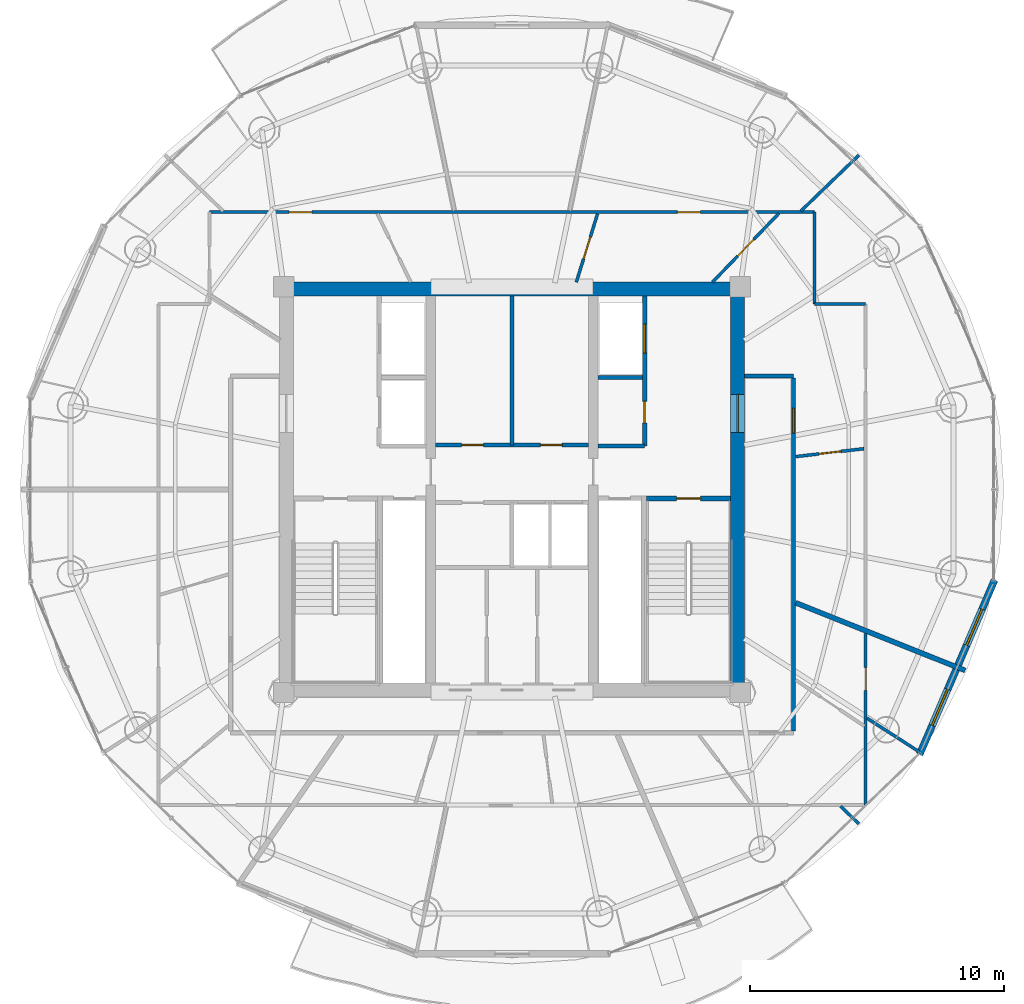
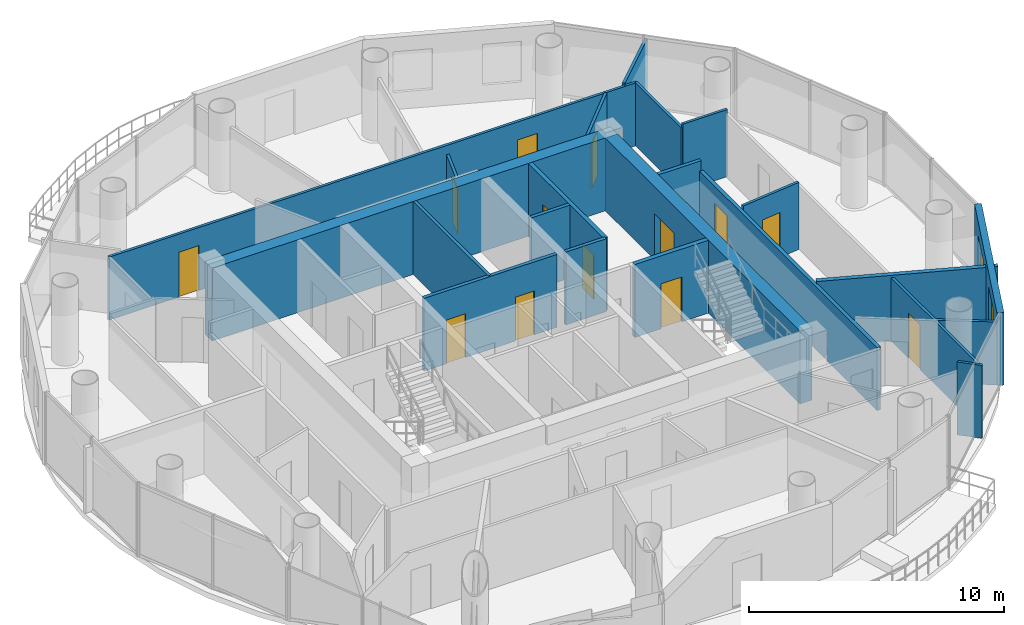
# One storey, part 20 of 24: 22 walls, 13 doors, 2 windows, 15 openings.
"""IFC4 building model written with IfcOpenShell, lengths in metres."""

from ifc_helpers import new_model, si_unit, direction, frame, frame_2d, origin, place, context, subcontext, project, spatial, rectangle, extrude, source, transform, mapped, material, layer, layer_set, type_object, element, fill, save


model = new_model("IFC4")

# Units and contexts
model_context = context("Model", 3, precision=1e-05, world=origin(), true_north=direction((-0.2419218956, 0.970295726276)))
body_context = subcontext(model_context, "Body", "Model", "MODEL_VIEW")
ifc_project = project(units=[si_unit("LENGTHUNIT", "METRE"), si_unit("AREAUNIT", "SQUARE_METRE"), si_unit("VOLUMEUNIT", "CUBIC_METRE"), si_unit("PLANEANGLEUNIT", "RADIAN"), si_unit("MASSUNIT", "GRAM", prefix="KILO")], contexts=[model_context])

# Site, building, storey
site_placement = place(None, origin())
site = spatial("IfcSite", under=ifc_project, at=site_placement, CompositionType="ELEMENT")
building_placement = place(site_placement, origin())
building = spatial("IfcBuilding", under=site, at=building_placement, Name="Cobrevalo Terracotta Tower", CompositionType="ELEMENT")
storey_placement = place(building_placement, frame((0.0, 0.0, 278.199951171875)))
storey = spatial("IfcBuildingStorey", under=building, at=storey_placement, Name="L73", CompositionType="ELEMENT", Elevation=278.199951171875)

# Wall
ifc_material_1 = material(Name="Concrete C50", Category="concrete")
ifc_layer_1 = layer(ifc_material_1, 0.550048828125)
ifc_layer_set_1 = layer_set([ifc_layer_1], Name="Concrete C50")
wall_type_1 = type_object("IfcWallType", Name="Core shear wall 550 mm Concrete C50", PredefinedType="SHEAR", material=ifc_layer_set_1)
wall_1_placement = place(storey_placement, frame((28.824951171875, 34.699951171875, 0.0), z_axis=(0.0, 0.0, 1.0), x_axis=(1.0, 0.0, 0.0)))
element("IfcWall", 1, at=wall_1_placement, inside=storey, type_object=wall_type_1, Name="L73 north core shear wall", PredefinedType="SHEAR", context=body_context, shape_type="SweptSolid", body=[
    extrude(rectangle(XDim=18.35009765625, YDim=0.550048828125, at=frame_2d((9.175048828125, 0.0))), origin(), (0.0, 0.0, 1.0), 3.489990234375),
])

# Wall, opening, door
wall_2_placement = place(storey_placement, frame((46.89990234375, 19.175048828125, 0.0), z_axis=(0.0, 0.0, 1.0), x_axis=(0.0, 1.0, 0.0)))
wall_2 = element("IfcWall", 2, at=wall_2_placement, inside=storey, type_object=wall_type_1, Name="L73 east core shear wall", PredefinedType="SHEAR", context=body_context, shape_type="SweptSolid", body=[
    extrude(rectangle(XDim=15.25, YDim=0.550048828125, at=frame_2d((7.625, 0.0))), origin(), (0.0, 0.0, 1.0), 3.489990234375),
])
opening_1_placement = place(wall_2_placement, frame((9.875, 0.0, 0.0)))
opening_1 = element("IfcOpeningElement", 3, at=opening_1_placement, cuts=wall_2, Name="Opening ID-14", PredefinedType="OPENING", context=body_context, shape_type="SweptSolid", body=[
    extrude(rectangle(XDim=1.5, YDim=2.199951171875, at=frame_2d((0.75, 1.10009765625))), frame((0.0, 0.28515625, 0.0), z_axis=(0.0, -1.0, 0.0), x_axis=(1.0, 0.0, 0.0)), (0.0, 0.0, 1.0), 0.570068359375),
])
ifc_material_2 = material(Name="Galvanized fire-rated steel", Category="steel")
door_type_1 = type_object("IfcDoorType", Name="Core cross-lobby double fire door 1500x2200 EI 90", OperationType="NOTDEFINED", PredefinedType="DOOR", material=ifc_material_2)
shared_shape_1 = source(origin(), body_context, "Body", "SweptSolid", [
    extrude(rectangle(XDim=1.5, YDim=2.199951171875, at=frame_2d((0.75, 1.10009765625))), frame((0.0, 0.02490234375, 0.0), z_axis=(0.0, -1.0, 0.0), x_axis=(1.0, 0.0, 0.0)), (0.0, 0.0, 1.0), 0.050048828125),
])
door_1_placement = place(opening_1_placement, frame((1.5, 0.0, 0.0), z_axis=(0.0, 0.0, 1.0), x_axis=(-1.0, 0.0, 0.0)))
door_1 = element("IfcDoor", 4, at=door_1_placement, inside=storey, type_object=door_type_1, Name="L73 east firefighting lobby entrance door", OperationType="DOUBLE_DOOR_SINGLE_SWING", OverallHeight=2.199951171875, OverallWidth=1.5, PredefinedType="DOOR", context=body_context, shape_type="MappedRepresentation", body=[
    mapped(shared_shape_1, transform((0.0, 0.0, 0.0), scale=1.0)),
])
fill(opening_1, door_1)

# Walls
ifc_material_3 = material(Name="Gypsum board on steel stud", Category="steel")
ifc_layer_2 = layer(ifc_material_3, 0.159912109375)
ifc_layer_set_2 = layer_set([ifc_layer_2], Name="Gypsum board on steel stud")
wall_type_2 = type_object("IfcWallType", Name="Fire-rated corridor acoustic partition wall 160 mm", PredefinedType="PARTITIONING", material=ifc_layer_set_2)
wall_3_placement = place(storey_placement, frame((41.389892578125, 31.219970703125, 0.0), z_axis=(0.0, 0.0, 1.0), x_axis=(1.0, 0.0, 0.0)))
element("IfcWall", 5, at=wall_3_placement, inside=storey, type_object=wall_type_2, Name="L73 interior partition IW-L73-FF2-M", PredefinedType="PARTITIONING", context=body_context, shape_type="SweptSolid", body=[
    extrude(rectangle(XDim=1.75, YDim=0.159912109375, at=frame_2d((0.875, 0.0))), origin(), (0.0, 0.0, 1.0), 3.489990234375),
])
wall_4_placement = place(storey_placement, frame((41.389892578125, 28.52001953125, 0.0), z_axis=(0.0, 0.0, 1.0), x_axis=(1.0, 0.0, 0.0)))
element("IfcWall", 6, at=wall_4_placement, inside=storey, type_object=wall_type_2, Name="L73 interior partition IW-L73-FF2-S", PredefinedType="PARTITIONING", context=body_context, shape_type="SweptSolid", body=[
    extrude(rectangle(XDim=1.840087890625, YDim=0.159912109375, at=frame_2d((0.919921875, 0.0))), origin(), (0.0, 0.0, 1.0), 3.489990234375),
])

# Wall, openings, doors
wall_5_placement = place(storey_placement, frame((34.989990234375, 28.56005859375, 0.0), z_axis=(0.0, 0.0, 1.0), x_axis=(1.0, 0.0, 0.0)))
wall_5 = element("IfcWall", 7, at=wall_5_placement, inside=storey, type_object=wall_type_2, Name="L73 interior partition IW-L73-LB-S", PredefinedType="PARTITIONING", context=body_context, shape_type="SweptSolid", body=[
    extrude(rectangle(XDim=6.02001953125, YDim=0.159912109375, at=frame_2d((3.010009765625, 0.0))), origin(), (0.0, 0.0, 1.0), 3.489990234375),
])
opening_2_placement = place(wall_5_placement, frame((1.02490234375, 0.0, 0.0)))
opening_2 = element("IfcOpeningElement", 8, at=opening_2_placement, cuts=wall_5, Name="Opening ID-07", PredefinedType="OPENING", context=body_context, shape_type="SweptSolid", body=[
    extrude(rectangle(XDim=0.860107421875, YDim=2.10009765625, at=frame_2d((0.43017578125, 1.050048828125))), frame((0.0, 0.08984375, 0.0), z_axis=(0.0, -1.0, 0.0), x_axis=(1.0, 0.0, 0.0)), (0.0, 0.0, 1.0), 0.179931640625),
])
opening_3_placement = place(wall_5_placement, frame((4.139892578125, 0.0, 0.0)))
opening_3 = element("IfcOpeningElement", 9, at=opening_3_placement, cuts=wall_5, Name="Opening ID-22", PredefinedType="OPENING", context=body_context, shape_type="SweptSolid", body=[
    extrude(rectangle(XDim=0.85009765625, YDim=2.10009765625, at=frame_2d((0.425048828125, 1.050048828125))), frame((0.0, 0.08984375, 0.0), z_axis=(0.0, -1.0, 0.0), x_axis=(1.0, 0.0, 0.0)), (0.0, 0.0, 1.0), 0.179931640625),
])
ifc_material_4 = material(Name="Powder-coated steel", Category="steel")
door_type_2 = type_object("IfcDoorType", Name="Riser shaft & meter closet fire access door 850x2100 EI 60", OperationType="NOTDEFINED", PredefinedType="DOOR", material=ifc_material_4)
shared_shape_2 = source(origin(), body_context, "Body", "SweptSolid", [
    extrude(rectangle(XDim=0.85009765625, YDim=2.10009765625, at=frame_2d((0.425048828125, 1.050048828125))), frame((0.0, 0.02490234375, 0.0), z_axis=(0.0, -1.0, 0.0), x_axis=(1.0, 0.0, 0.0)), (0.0, 0.0, 1.0), 0.050048828125),
])
door_2_placement = place(opening_3_placement, origin())
door_2 = element("IfcDoor", 10, at=door_2_placement, inside=storey, type_object=door_type_2, Name="L73 core service door Floor Telecom and Metering Plant", OperationType="SINGLE_SWING_RIGHT", OverallHeight=2.10009765625, OverallWidth=0.85009765625, PredefinedType="DOOR", context=body_context, shape_type="MappedRepresentation", body=[
    mapped(shared_shape_2, transform((0.0, 0.0, 0.0), scale=1.0)),
])
fill(opening_3, door_2)
ifc_material_5 = material(Name="Fire-rated moisture-sealed timber", Category="wood")
door_type_3 = type_object("IfcDoorType", Name="Core & podium fire-rated accessible WC door 860x2100 EI 60", OperationType="NOTDEFINED", PredefinedType="DOOR", material=ifc_material_5)
shared_shape_3 = source(origin(), body_context, "Body", "SweptSolid", [
    extrude(rectangle(XDim=0.860107421875, YDim=2.10009765625, at=frame_2d((0.43017578125, 1.050048828125))), frame((0.0, 0.02490234375, 0.0), z_axis=(0.0, -1.0, 0.0), x_axis=(1.0, 0.0, 0.0)), (0.0, 0.0, 1.0), 0.050048828125),
])
door_3_placement = place(opening_2_placement, origin())
door_3 = element("IfcDoor", 11, at=door_3_placement, inside=storey, type_object=door_type_3, Name="L73 core service door Core Accessible Toilet WC", OperationType="SINGLE_SWING_LEFT", OverallHeight=2.10009765625, OverallWidth=0.860107421875, PredefinedType="DOOR", context=body_context, shape_type="MappedRepresentation", body=[
    mapped(shared_shape_3, transform((0.0, 0.0, 0.0), scale=1.0)),
])
fill(opening_2, door_3)

# Wall, opening, door
wall_6_placement = place(storey_placement, frame((49.10498046875, 17.27490234375, 0.0), z_axis=(0.0, 0.0, 1.0), x_axis=(0.0, 1.0, 0.0)))
wall_6 = element("IfcWall", 12, at=wall_6_placement, inside=storey, type_object=wall_type_2, Name="L73 interior partition IW-L73-COR-E", PredefinedType="PARTITIONING", context=body_context, shape_type="SweptSolid", body=[
    extrude(rectangle(XDim=13.925048828125, YDim=0.159912109375, at=frame_2d((6.96240234375, 0.0))), origin(), (0.0, 0.0, 1.0), 3.01513671875),
])
opening_4_placement = place(wall_6_placement, frame((11.749755859375, 0.0, 0.0)))
opening_4 = element("IfcOpeningElement", 13, at=opening_4_placement, cuts=wall_6, Name="Opening ID-05", PredefinedType="OPENING", context=body_context, shape_type="SweptSolid", body=[
    extrude(rectangle(XDim=0.97998046875, YDim=2.199951171875, at=frame_2d((0.489990234375, 1.10009765625))), frame((0.0, 0.08984375, 0.0), z_axis=(0.0, -1.0, 0.0), x_axis=(1.0, 0.0, 0.0)), (0.0, 0.0, 1.0), 0.179931640625),
])
ifc_material_6 = material(Name="Solid hardwood timber", Category="wood")
door_type_4 = type_object("IfcDoorType", Name="Residence entrance fire-rated acoustic timber door 980x2200 EI 60", OperationType="NOTDEFINED", PredefinedType="DOOR", material=ifc_material_6)
shared_shape_4 = source(origin(), body_context, "Body", "SweptSolid", [
    extrude(rectangle(XDim=0.97998046875, YDim=2.199951171875, at=frame_2d((0.489990234375, 1.10009765625))), frame((0.0, 0.02490234375, 0.0), z_axis=(0.0, -1.0, 0.0), x_axis=(1.0, 0.0, 0.0)), (0.0, 0.0, 1.0), 0.050048828125),
])
door_4_placement = place(opening_4_placement, frame((0.97998046875, 0.0, 0.0), z_axis=(0.0, 0.0, 1.0), x_axis=(-1.0, 0.0, 0.0)))
door_4 = element("IfcDoor", 14, at=door_4_placement, inside=storey, type_object=door_type_4, Name="Flat L73A fire-rated apartment entrance door", OperationType="SINGLE_SWING_RIGHT", OverallHeight=2.199951171875, OverallWidth=0.97998046875, PredefinedType="DOOR", context=body_context, shape_type="MappedRepresentation", body=[
    mapped(shared_shape_4, transform((0.0, 0.0, 0.0), scale=1.0)),
])
fill(opening_4, door_4)

# Wall
wall_7_placement = place(storey_placement, frame((47.175048828125, 31.280029296875, 0.0), z_axis=(0.0, 0.0, 1.0), x_axis=(1.0, 0.0, 0.0)))
element("IfcWall", 15, at=wall_7_placement, inside=storey, type_object=wall_type_2, Name="L73 interior partition IW-L73-COR-EN-CAP", PredefinedType="PARTITIONING", context=body_context, shape_type="SweptSolid", body=[
    extrude(rectangle(XDim=1.929931640625, YDim=0.159912109375, at=frame_2d((0.96484375, 0.0))), origin(), (0.0, 0.0, 1.0), 3.489990234375),
])

# Wall, openings, doors
ifc_layer_3 = layer(ifc_material_3, 0.179931640625)
ifc_layer_set_3 = layer_set([ifc_layer_3], Name="Gypsum board on steel stud")
wall_type_3 = type_object("IfcWallType", Name="Fire-rated shaft & lobby acoustic partition wall 180 mm", PredefinedType="PARTITIONING", material=ifc_layer_set_3)
wall_8_placement = place(storey_placement, frame((43.22998046875, 28.52001953125, 0.0), z_axis=(0.0, 0.0, 1.0), x_axis=(0.0, 1.0, 0.0)))
wall_8 = element("IfcWall", 16, at=wall_8_placement, inside=storey, type_object=wall_type_3, Name="L73 interior partition IW-L73-FF2-E", PredefinedType="PARTITIONING", context=body_context, shape_type="SweptSolid", body=[
    extrude(rectangle(XDim=5.905029296875, YDim=0.179931640625, at=frame_2d((2.95263671875, 0.0))), origin(), (0.0, 0.0, 1.0), 3.489990234375),
])
opening_5_placement = place(wall_8_placement, frame((0.905029296875, 0.0, 0.0)))
opening_5 = element("IfcOpeningElement", 17, at=opening_5_placement, cuts=wall_8, Name="Opening ID-22", PredefinedType="OPENING", context=body_context, shape_type="SweptSolid", body=[
    extrude(rectangle(XDim=0.85009765625, YDim=2.10009765625, at=frame_2d((0.425048828125, 1.050048828125))), frame((0.0, 0.10009765625, 0.0), z_axis=(0.0, -1.0, 0.0), x_axis=(1.0, 0.0, 0.0)), (0.0, 0.0, 1.0), 0.199951171875),
])
opening_6_placement = place(wall_8_placement, frame((3.655029296875, 0.0, 0.0)))
opening_6 = element("IfcOpeningElement", 18, at=opening_6_placement, cuts=wall_8, Name="Opening LD-02", PredefinedType="OPENING", context=body_context, shape_type="SweptSolid", body=[
    extrude(rectangle(XDim=1.14990234375, YDim=2.199951171875, at=frame_2d((0.574951171875, 1.10009765625))), frame((0.0, 0.10009765625, 0.0), z_axis=(0.0, -1.0, 0.0), x_axis=(1.0, 0.0, 0.0)), (0.0, 0.0, 1.0), 0.199951171875),
])
door_5_placement = place(opening_5_placement, frame((0.85009765625, 0.0, 0.0), z_axis=(0.0, 0.0, 1.0), x_axis=(-1.0, 0.0, 0.0)))
door_5 = element("IfcDoor", 19, at=door_5_placement, inside=storey, type_object=door_type_2, Name="L73 housekeeping store door", OperationType="SINGLE_SWING_RIGHT", OverallHeight=2.10009765625, OverallWidth=0.85009765625, PredefinedType="DOOR", context=body_context, shape_type="MappedRepresentation", body=[
    mapped(shared_shape_2, transform((0.0, 0.0, 0.0), scale=1.0)),
])
fill(opening_5, door_5)
ifc_material_7 = material(Name="Brushed stainless steel", Category="steel")
door_type_5 = type_object("IfcDoorType", Name="Firefighting lift landing bi-parting sliding door 1150x2200 EI 120", OperationType="DOUBLE_DOOR_SLIDING", PredefinedType="DOOR", material=ifc_material_7)
shared_shape_5 = source(origin(), body_context, "Body", "SweptSolid", [
    extrude(rectangle(XDim=1.14990234375, YDim=2.199951171875, at=frame_2d((0.574951171875, 1.10009765625))), frame((0.0, 0.02490234375, 0.0), z_axis=(0.0, -1.0, 0.0), x_axis=(1.0, 0.0, 0.0)), (0.0, 0.0, 1.0), 0.050048828125),
])
door_6_placement = place(opening_6_placement, origin())
door_6 = element("IfcDoor", 20, at=door_6_placement, inside=storey, type_object=door_type_5, Name="L73 lift landing door FF-2", OperationType="DOUBLE_DOOR_SLIDING", OverallHeight=2.199951171875, OverallWidth=1.14990234375, PredefinedType="DOOR", context=body_context, shape_type="MappedRepresentation", body=[
    mapped(shared_shape_5, transform((0.0, 0.0, 0.0), scale=1.0)),
])
fill(opening_6, door_6)

# Wall
ifc_material_8 = material(Name="Autoclaved aerated concrete block", Category="concrete")
ifc_layer_4 = layer(ifc_material_8, 0.199951171875)
ifc_layer_set_4 = layer_set([ifc_layer_4], Name="Autoclaved aerated concrete block")
wall_type_4 = type_object("IfcWallType", Name="Fire-rated stair, shaft & demising masonry wall 200 mm", PredefinedType="PARTITIONING", material=ifc_layer_set_4)
wall_9_placement = place(storey_placement, frame((49.18505859375, 22.334228515625, 0.0), z_axis=(0.0, 0.0, 1.0), x_axis=(0.928710518269, -0.370805573389, 0.0)))
element("IfcWall", 21, at=wall_9_placement, inside=storey, type_object=wall_type_4, Name="L73 interior partition IW-L73-DEM-1", PredefinedType="PARTITIONING", context=body_context, shape_type="SweptSolid", body=[
    extrude(rectangle(XDim=7.195068359375, YDim=0.199951171875, at=frame_2d((3.59765625, 0.0))), origin(), (0.0, 0.0, 1.0), 3.12109375),
])

# Wall, openings, windows
ifc_layer_5 = layer(ifc_material_8, 0.280029296875)
ifc_layer_set_5 = layer_set([ifc_layer_5], Name="Autoclaved aerated concrete block")
wall_type_5 = type_object("IfcWallType", Name="Insulated tower spandrel & pier wall 280 mm with terracotta rainscreen", PredefinedType="SOLIDWALL", material=ifc_layer_set_5)
wall_10_placement = place(storey_placement, frame((54.073974609375, 16.35400390625, 0.0), z_axis=(0.0, 0.0, 1.0), x_axis=(0.394816612978, 0.918759948037, 0.0)))
wall_10 = element("IfcWall", 22, at=wall_10_placement, inside=storey, type_object=wall_type_5, Name="L73 terracotta rainscreen pier wall S15", PredefinedType="SOLIDWALL", context=body_context, shape_type="SweptSolid", body=[
    extrude(rectangle(XDim=7.4853515625, YDim=0.280029296875, at=frame_2d((3.74267578125, 0.0))), origin(), (0.0, 0.0, 1.0), 3.489990234375),
])
opening_7_placement = place(wall_10_placement, frame((1.24609375, 0.0, 0.85009765625)))
opening_7 = element("IfcOpeningElement", 23, at=opening_7_placement, cuts=wall_10, Name="Opening WN-12", PredefinedType="OPENING", context=body_context, shape_type="SweptSolid", body=[
    extrude(rectangle(XDim=1.550048828125, YDim=1.949951171875, at=frame_2d((0.77490234375, 0.97509765625))), frame((0.0, 0.14990234375, 0.0), z_axis=(0.0, -1.0, 0.0), x_axis=(1.0, 0.0, 0.0)), (0.0, 0.0, 1.0), 0.300048828125),
])
opening_8_placement = place(wall_10_placement, frame((4.689208984375, 0.0, 0.85009765625)))
opening_8 = element("IfcOpeningElement", 24, at=opening_8_placement, cuts=wall_10, Name="Opening WN-12", PredefinedType="OPENING", context=body_context, shape_type="SweptSolid", body=[
    extrude(rectangle(XDim=1.550048828125, YDim=1.949951171875, at=frame_2d((0.77490234375, 0.97509765625))), frame((0.0, 0.14990234375, 0.0), z_axis=(0.0, -1.0, 0.0), x_axis=(1.0, 0.0, 0.0)), (0.0, 0.0, 1.0), 0.300048828125),
])
ifc_material_9 = material(Name="Solar-control low-E double glazing", Category="glass")
window_type = type_object("IfcWindowType", Name="Solar-control low-E aluminium window 1550x1950", PartitioningType="SINGLE_PANEL", PredefinedType="WINDOW", material=ifc_material_9)
shared_shape_6 = source(origin(), body_context, "Body", "SweptSolid", [
    extrude(rectangle(XDim=1.550048828125, YDim=1.949951171875, at=frame_2d((0.77490234375, 0.97509765625))), frame((0.0, 0.030029296875, 0.0), z_axis=(0.0, -1.0, 0.0), x_axis=(1.0, 0.0, 0.0)), (0.0, 0.0, 1.0), 0.06005859375),
])
window_1_placement = place(opening_7_placement, origin())
window_1 = element("IfcWindow", 25, at=window_1_placement, inside=storey, type_object=window_type, Name="L73 suite window S15A", OverallHeight=1.949951171875, OverallWidth=1.550048828125, PartitioningType="SINGLE_PANEL", PredefinedType="WINDOW", context=body_context, shape_type="MappedRepresentation", body=[
    mapped(shared_shape_6, transform((0.0, 0.0, 0.0), scale=1.0)),
])
fill(opening_7, window_1)
window_2_placement = place(opening_8_placement, origin())
window_2 = element("IfcWindow", 26, at=window_2_placement, inside=storey, type_object=window_type, Name="L73 suite window S15B", OverallHeight=1.949951171875, OverallWidth=1.550048828125, PartitioningType="SINGLE_PANEL", PredefinedType="WINDOW", context=body_context, shape_type="MappedRepresentation", body=[
    mapped(shared_shape_6, transform((0.0, 0.0, 0.0), scale=1.0)),
])
fill(opening_8, window_2)

# Wall
ifc_layer_6 = layer(ifc_material_8, 0.139892578125)
ifc_layer_set_6 = layer_set([ifc_layer_6], Name="Autoclaved aerated concrete block")
wall_type_6 = type_object("IfcWallType", Name="Moisture-resistant wet-room & core service partition 140 mm", PredefinedType="PARTITIONING", material=ifc_layer_set_6)
wall_11_placement = place(storey_placement, frame((38.0, 28.56005859375, 0.0), z_axis=(0.0, 0.0, 1.0), x_axis=(0.0, 1.0, 0.0)))
element("IfcWall", 27, at=wall_11_placement, inside=storey, type_object=wall_type_6, Name="L73 interior partition IW-L73-KVN-1", PredefinedType="PARTITIONING", context=body_context, shape_type="SweptSolid", body=[
    extrude(rectangle(XDim=5.864990234375, YDim=0.139892578125, at=frame_2d((2.9326171875, 0.0))), origin(), (0.0, 0.0, 1.0), 3.489990234375),
])

# Wall, openings, doors
ifc_layer_7 = layer(ifc_material_3, 0.1201171875)
ifc_layer_set_7 = layer_set([ifc_layer_7], Name="Gypsum board on steel stud")
wall_type_7 = type_object("IfcWallType", Name="Residential internal acoustic stud partition 120 mm", PredefinedType="PARTITIONING", material=ifc_layer_set_7)
wall_12_placement = place(storey_placement, frame((26.06494140625, 37.735107421875, 0.0), z_axis=(0.0, 0.0, 1.0), x_axis=(1.0, 0.0, 0.0)))
wall_12 = element("IfcWall", 28, at=wall_12_placement, inside=storey, type_object=wall_type_7, Name="L73 interior partition IW-L73-U1-RING3_0", PredefinedType="PARTITIONING", context=body_context, shape_type="SweptSolid", body=[
    extrude(rectangle(XDim=23.8701171875, YDim=0.1201171875, at=frame_2d((11.93505859375, 0.0))), origin(), (0.0, 0.0, 1.0), 3.01513671875),
])
opening_9_placement = place(wall_12_placement, frame((18.46044921875, 0.0, 0.0)))
opening_9 = element("IfcOpeningElement", 29, at=opening_9_placement, cuts=wall_12, Name="Opening ID-12", PredefinedType="OPENING", context=body_context, shape_type="SweptSolid", body=[
    extrude(rectangle(XDim=0.89990234375, YDim=2.14990234375, at=frame_2d((0.449951171875, 1.074951171875))), frame((0.0, 0.070068359375, 0.0), z_axis=(0.0, -1.0, 0.0), x_axis=(1.0, 0.0, 0.0)), (0.0, 0.0, 1.0), 0.14013671875),
])
opening_10_placement = place(wall_12_placement, frame((3.144287109375, 0.0, 0.0)))
opening_10 = element("IfcOpeningElement", 30, at=opening_10_placement, cuts=wall_12, Name="Opening ID-12", PredefinedType="OPENING", context=body_context, shape_type="SweptSolid", body=[
    extrude(rectangle(XDim=0.89990234375, YDim=2.14990234375, at=frame_2d((0.449951171875, 1.074951171875))), frame((0.0, 0.070068359375, 0.0), z_axis=(0.0, -1.0, 0.0), x_axis=(1.0, 0.0, 0.0)), (0.0, 0.0, 1.0), 0.14013671875),
])
ifc_material_10 = material(Name="Engineered timber", Category="wood")
door_type_6 = type_object("IfcDoorType", Name="Internal residence & suite timber door 900x2150", OperationType="NOTDEFINED", PredefinedType="DOOR", material=ifc_material_10)
shared_shape_7 = source(origin(), body_context, "Body", "SweptSolid", [
    extrude(rectangle(XDim=0.89990234375, YDim=2.14990234375, at=frame_2d((0.449951171875, 1.074951171875))), frame((0.0, 0.02490234375, 0.0), z_axis=(0.0, -1.0, 0.0), x_axis=(1.0, 0.0, 0.0)), (0.0, 0.0, 1.0), 0.050048828125),
])
door_7_placement = place(opening_9_placement, origin())
door_7 = element("IfcDoor", 31, at=door_7_placement, inside=storey, type_object=door_type_6, Name="Flat L73A Master Bedroom internal door", OperationType="SINGLE_SWING_LEFT", OverallHeight=2.14990234375, OverallWidth=0.89990234375, PredefinedType="DOOR", context=body_context, shape_type="MappedRepresentation", body=[
    mapped(shared_shape_7, transform((0.0, 0.0, 0.0), scale=1.0)),
])
fill(opening_9, door_7)
door_8_placement = place(opening_10_placement, origin())
door_8 = element("IfcDoor", 32, at=door_8_placement, inside=storey, type_object=door_type_6, Name="Flat L73A Penthouse Family Lounge internal door", OperationType="SINGLE_SWING_LEFT", OverallHeight=2.14990234375, OverallWidth=0.89990234375, PredefinedType="DOOR", context=body_context, shape_type="MappedRepresentation", body=[
    mapped(shared_shape_7, transform((0.0, 0.0, 0.0), scale=1.0)),
])
fill(opening_10, door_8)

# Walls
wall_13_placement = place(storey_placement, frame((49.93505859375, 37.735107421875, 0.0), z_axis=(0.0, 0.0, 1.0), x_axis=(0.0, -1.0, 0.0)))
element("IfcWall", 33, at=wall_13_placement, inside=storey, type_object=wall_type_7, Name="L73 interior partition IW-L73-U1-RING4_0", PredefinedType="PARTITIONING", context=body_context, shape_type="SweptSolid", body=[
    extrude(rectangle(XDim=3.614990234375, YDim=0.1201171875, at=frame_2d((1.8076171875, 0.0))), origin(), (0.0, 0.0, 1.0), 3.01513671875),
])
wall_14_placement = place(storey_placement, frame((49.93505859375, 34.1201171875, 0.0), z_axis=(0.0, 0.0, 1.0), x_axis=(1.0, 0.0, 0.0)))
element("IfcWall", 34, at=wall_14_placement, inside=storey, type_object=wall_type_7, Name="L73 interior partition IW-L73-U1-RING5_0", PredefinedType="PARTITIONING", context=body_context, shape_type="SweptSolid", body=[
    extrude(rectangle(XDim=2.010009765625, YDim=0.1201171875, at=frame_2d((1.0048828125, 0.0))), origin(), (0.0, 0.0, 1.0), 3.208984375),
])
wall_15_placement = place(storey_placement, frame((49.388916015625, 37.778076171875, 0.0), z_axis=(0.0, 0.0, 1.0), x_axis=(0.719985652574, 0.693988948102, 0.0)))
element("IfcWall", 35, at=wall_15_placement, inside=storey, type_object=wall_type_7, Name="L73 interior partition IW-L73-U1-ORAD1", PredefinedType="PARTITIONING", context=body_context, shape_type="SweptSolid", body=[
    extrude(rectangle(XDim=3.17431640625, YDim=0.1201171875, at=frame_2d((1.587158203125, 0.0))), origin(), (0.0, 0.0, 1.0), 3.12109375),
])

# Wall, opening, door
wall_16_placement = place(storey_placement, frame((49.18505859375, 28.09765625, 0.0), z_axis=(0.0, 0.0, 1.0), x_axis=(0.993339475655, 0.115224503057, 0.0)))
wall_16 = element("IfcWall", 36, at=wall_16_placement, inside=storey, type_object=wall_type_7, Name="L73 interior partition IW-L73-U1-IRAD1", PredefinedType="PARTITIONING", context=body_context, shape_type="SweptSolid", body=[
    extrude(rectangle(XDim=2.71630859375, YDim=0.1201171875, at=frame_2d((1.358154296875, 0.0))), origin(), (0.0, 0.0, 1.0), 3.208984375),
])
opening_11_placement = place(wall_16_placement, frame((0.92822265625, 0.0, 0.0)))
opening_11 = element("IfcOpeningElement", 37, at=opening_11_placement, cuts=wall_16, Name="Opening ID-19", PredefinedType="OPENING", context=body_context, shape_type="SweptSolid", body=[
    extrude(rectangle(XDim=0.860107421875, YDim=2.14990234375, at=frame_2d((0.43017578125, 1.074951171875))), frame((0.0, 0.070068359375, 0.0), z_axis=(0.0, -1.0, 0.0), x_axis=(1.0, 0.0, 0.0)), (0.0, 0.0, 1.0), 0.14013671875),
])
ifc_material_11 = material(Name="Moisture-sealed timber", Category="wood")
door_type_7 = type_object("IfcDoorType", Name="Suite bathroom internal timber door 860x2150", OperationType="NOTDEFINED", PredefinedType="DOOR", material=ifc_material_11)
shared_shape_8 = source(origin(), body_context, "Body", "SweptSolid", [
    extrude(rectangle(XDim=0.860107421875, YDim=2.14990234375, at=frame_2d((0.43017578125, 1.074951171875))), frame((0.0, 0.02490234375, 0.0), z_axis=(0.0, -1.0, 0.0), x_axis=(1.0, 0.0, 0.0)), (0.0, 0.0, 1.0), 0.050048828125),
])
door_9_placement = place(opening_11_placement, frame((0.860107421875, 0.0, 0.0), z_axis=(0.0, 0.0, 1.0), x_axis=(-1.0, 0.0, 0.0)))
door_9 = element("IfcDoor", 38, at=door_9_placement, inside=storey, type_object=door_type_7, Name="Flat L73A Primary Bathroom internal door", OperationType="SINGLE_SWING_LEFT", OverallHeight=2.14990234375, OverallWidth=0.860107421875, PredefinedType="DOOR", context=body_context, shape_type="MappedRepresentation", body=[
    mapped(shared_shape_8, transform((0.0, 0.0, 0.0), scale=1.0)),
])
fill(opening_11, door_9)

wall_17_placement = place(storey_placement, frame((45.903076171875, 34.976318359375, 0.0), z_axis=(0.0, 0.0, 1.0), x_axis=(0.69497417129, 0.719034700999, 0.0)))
wall_17 = element("IfcWall", 39, at=wall_17_placement, inside=storey, type_object=wall_type_7, Name="L73 interior partition IW-L73-U1-IRAD2", PredefinedType="PARTITIONING", context=body_context, shape_type="SweptSolid", body=[
    extrude(rectangle(XDim=3.774658203125, YDim=0.1201171875, at=frame_2d((1.88720703125, 0.0))), origin(), (0.0, 0.0, 1.0), 3.01513671875),
])
opening_12_placement = place(wall_17_placement, frame((1.437255859375, 0.0, 0.0)))
opening_12 = element("IfcOpeningElement", 40, at=opening_12_placement, cuts=wall_17, Name="Opening ID-12", PredefinedType="OPENING", context=body_context, shape_type="SweptSolid", body=[
    extrude(rectangle(XDim=0.89990234375, YDim=2.14990234375, at=frame_2d((0.449951171875, 1.074951171875))), frame((0.0, 0.070068359375, 0.0), z_axis=(0.0, -1.0, 0.0), x_axis=(1.0, 0.0, 0.0)), (0.0, 0.0, 1.0), 0.14013671875),
])
door_10_placement = place(opening_12_placement, origin())
door_10 = element("IfcDoor", 41, at=door_10_placement, inside=storey, type_object=door_type_6, Name="Flat L73A Kitchen internal door", OperationType="SINGLE_SWING_LEFT", OverallHeight=2.14990234375, OverallWidth=0.89990234375, PredefinedType="DOOR", context=body_context, shape_type="MappedRepresentation", body=[
    mapped(shared_shape_7, transform((0.0, 0.0, 0.0), scale=1.0)),
])
fill(opening_12, door_10)

wall_18_placement = place(storey_placement, frame((40.536865234375, 34.976806640625, 0.0), z_axis=(0.0, 0.0, 1.0), x_axis=(0.29633127961, 0.95508521752, 0.0)))
wall_18 = element("IfcWall", 42, at=wall_18_placement, inside=storey, type_object=wall_type_7, Name="L73 interior partition IW-L73-U1-IRAD3", PredefinedType="PARTITIONING", context=body_context, shape_type="SweptSolid", body=[
    extrude(rectangle(XDim=2.825927734375, YDim=0.1201171875, at=frame_2d((1.4130859375, 0.0))), origin(), (0.0, 0.0, 1.0), 2.574951171875),
])
opening_13_placement = place(wall_18_placement, frame((0.962890625, 0.0, 0.0)))
opening_13 = element("IfcOpeningElement", 43, at=opening_13_placement, cuts=wall_18, Name="Opening ID-12", PredefinedType="OPENING", context=body_context, shape_type="SweptSolid", body=[
    extrude(rectangle(XDim=0.89990234375, YDim=2.14990234375, at=frame_2d((0.449951171875, 1.074951171875))), frame((0.0, 0.070068359375, 0.0), z_axis=(0.0, -1.0, 0.0), x_axis=(1.0, 0.0, 0.0)), (0.0, 0.0, 1.0), 0.14013671875),
])
door_11_placement = place(opening_13_placement, origin())
door_11 = element("IfcDoor", 44, at=door_11_placement, inside=storey, type_object=door_type_6, Name="Flat L73A Private Library Meeting Room internal door", OperationType="SINGLE_SWING_RIGHT", OverallHeight=2.14990234375, OverallWidth=0.89990234375, PredefinedType="DOOR", context=body_context, shape_type="MappedRepresentation", body=[
    mapped(shared_shape_7, transform((0.0, 0.0, 0.0), scale=1.0)),
])
fill(opening_13, door_11)

wall_19_placement = place(storey_placement, frame((51.945068359375, 21.130126953125, 0.0), z_axis=(0.0, 0.0, 1.0), x_axis=(0.0, -1.0, 0.0)))
wall_19 = element("IfcWall", 45, at=wall_19_placement, inside=storey, type_object=wall_type_7, Name="L73 interior partition IW-L73-U4-RING0_0", PredefinedType="PARTITIONING", context=body_context, shape_type="SweptSolid", body=[
    extrude(rectangle(XDim=6.775146484375, YDim=0.1201171875, at=frame_2d((3.3876953125, 0.0))), origin(), (0.0, 0.0, 1.0), 3.01513671875),
])
opening_14_placement = place(wall_19_placement, frame((1.3486328125, 0.0, 0.0)))
opening_14 = element("IfcOpeningElement", 46, at=opening_14_placement, cuts=wall_19, Name="Opening ID-12", PredefinedType="OPENING", context=body_context, shape_type="SweptSolid", body=[
    extrude(rectangle(XDim=0.89990234375, YDim=2.14990234375, at=frame_2d((0.449951171875, 1.074951171875))), frame((0.0, 0.070068359375, 0.0), z_axis=(0.0, -1.0, 0.0), x_axis=(1.0, 0.0, 0.0)), (0.0, 0.0, 1.0), 0.14013671875),
])
door_12_placement = place(opening_14_placement, origin())
door_12 = element("IfcDoor", 47, at=door_12_placement, inside=storey, type_object=door_type_6, Name="Flat L73D Master Bedroom internal door", OperationType="SINGLE_SWING_LEFT", OverallHeight=2.14990234375, OverallWidth=0.89990234375, PredefinedType="DOOR", context=body_context, shape_type="MappedRepresentation", body=[
    mapped(shared_shape_7, transform((0.0, 0.0, 0.0), scale=1.0)),
])
fill(opening_14, door_12)

# Walls
wall_20_placement = place(storey_placement, frame((50.95556640625, 14.31201171875, 0.0), z_axis=(0.0, 0.0, 1.0), x_axis=(0.7199490242, -0.694026946562, 0.0)))
element("IfcWall", 48, at=wall_20_placement, inside=storey, type_object=wall_type_7, Name="L73 interior partition IW-L73-U4-ORAD1", PredefinedType="PARTITIONING", context=body_context, shape_type="SweptSolid", body=[
    extrude(rectangle(XDim=0.998291015625, YDim=0.1201171875, at=frame_2d((0.4990234375, 0.0))), origin(), (0.0, 0.0, 1.0), 3.489990234375),
])
wall_21_placement = place(storey_placement, frame((51.9970703125, 17.784912109375, 0.0), z_axis=(0.0, 0.0, 1.0), x_axis=(0.840715962824, -0.541476379774, 0.0)))
element("IfcWall", 49, at=wall_21_placement, inside=storey, type_object=wall_type_7, Name="L73 interior partition IW-L73-U4-ORAD2", PredefinedType="PARTITIONING", context=body_context, shape_type="SweptSolid", body=[
    extrude(rectangle(XDim=2.43701171875, YDim=0.1201171875, at=frame_2d((1.218505859375, 0.0))), origin(), (0.0, 0.0, 1.0), 3.01513671875),
])

# Wall, opening, door
ifc_layer_8 = layer(ifc_material_1, 0.199951171875)
ifc_layer_set_8 = layer_set([ifc_layer_8], Name="Concrete C50")
wall_type_8 = type_object("IfcWallType", Name="Structural core & podium stair-shaft RC wall 200 mm Concrete C50", PredefinedType="SOLIDWALL", material=ifc_layer_set_8)
wall_22_placement = place(storey_placement, frame((43.304931640625, 26.449951171875, 0.0), z_axis=(0.0, 0.0, 1.0), x_axis=(1.0, 0.0, 0.0)))
wall_22 = element("IfcWall", 50, at=wall_22_placement, inside=storey, type_object=wall_type_8, Name="L73 ST-2 north structural shaft wall", PredefinedType="SOLIDWALL", context=body_context, shape_type="SweptSolid", body=[
    extrude(rectangle(XDim=3.320068359375, YDim=0.199951171875, at=frame_2d((1.66015625, 0.0))), origin(), (0.0, 0.0, 1.0), 3.489990234375),
])
opening_15_placement = place(wall_22_placement, frame((1.18505859375, 0.0, 0.0)))
opening_15 = element("IfcOpeningElement", 51, at=opening_15_placement, cuts=wall_22, Name="Opening ID-04", PredefinedType="OPENING", context=body_context, shape_type="SweptSolid", body=[
    extrude(rectangle(XDim=0.949951171875, YDim=2.14990234375, at=frame_2d((0.47509765625, 1.074951171875))), frame((0.0, 0.10986328125, 0.0), z_axis=(0.0, -1.0, 0.0), x_axis=(1.0, 0.0, 0.0)), (0.0, 0.0, 1.0), 0.219970703125),
])
door_type_8 = type_object("IfcDoorType", Name="Stair & firefighting lobby fire door 950x2150 EI 90", OperationType="NOTDEFINED", PredefinedType="DOOR", material=ifc_material_2)
shared_shape_9 = source(origin(), body_context, "Body", "SweptSolid", [
    extrude(rectangle(XDim=0.949951171875, YDim=2.14990234375, at=frame_2d((0.47509765625, 1.074951171875))), frame((0.0, 0.02490234375, 0.0), z_axis=(0.0, -1.0, 0.0), x_axis=(1.0, 0.0, 0.0)), (0.0, 0.0, 1.0), 0.050048828125),
])
door_13_placement = place(opening_15_placement, frame((0.949951171875, 0.0, 0.0), z_axis=(0.0, 0.0, 1.0), x_axis=(-1.0, 0.0, 0.0)))
door_13 = element("IfcDoor", 52, at=door_13_placement, inside=storey, type_object=door_type_8, Name="L73 protected stair ST2 fire door", OperationType="SINGLE_SWING_RIGHT", OverallHeight=2.14990234375, OverallWidth=0.949951171875, PredefinedType="DOOR", context=body_context, shape_type="MappedRepresentation", body=[
    mapped(shared_shape_9, transform((0.0, 0.0, 0.0), scale=1.0)),
])
fill(opening_15, door_13)

save(model, "model.ifc")
